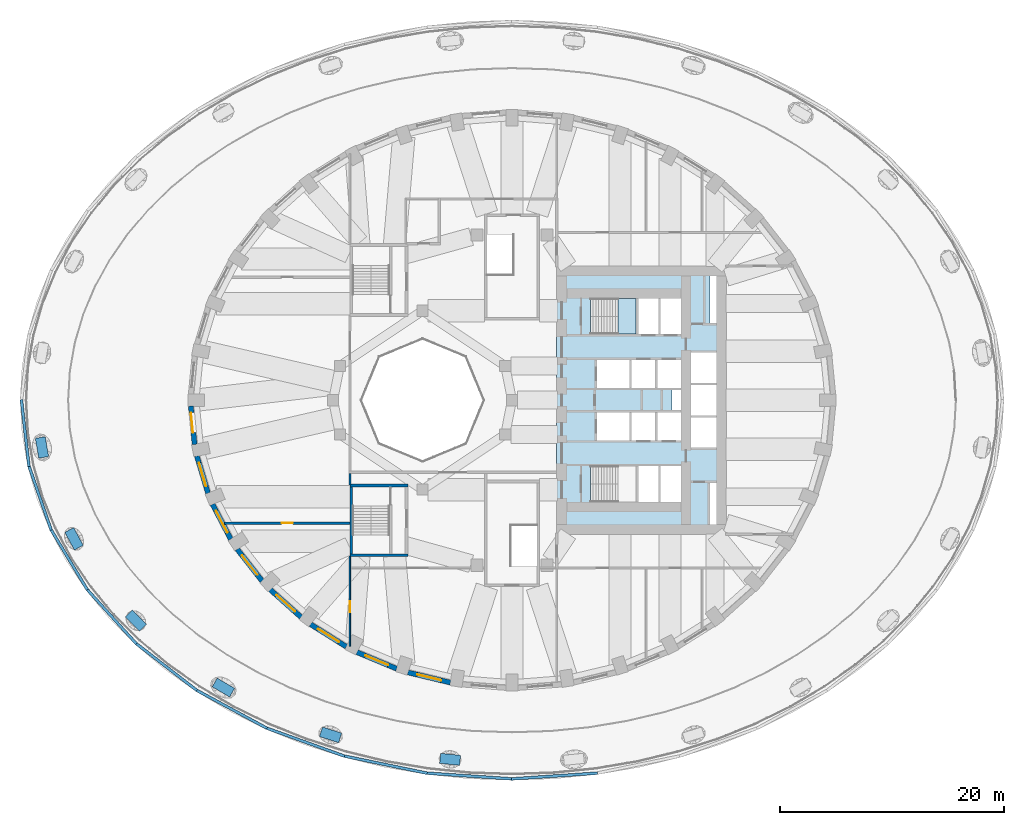
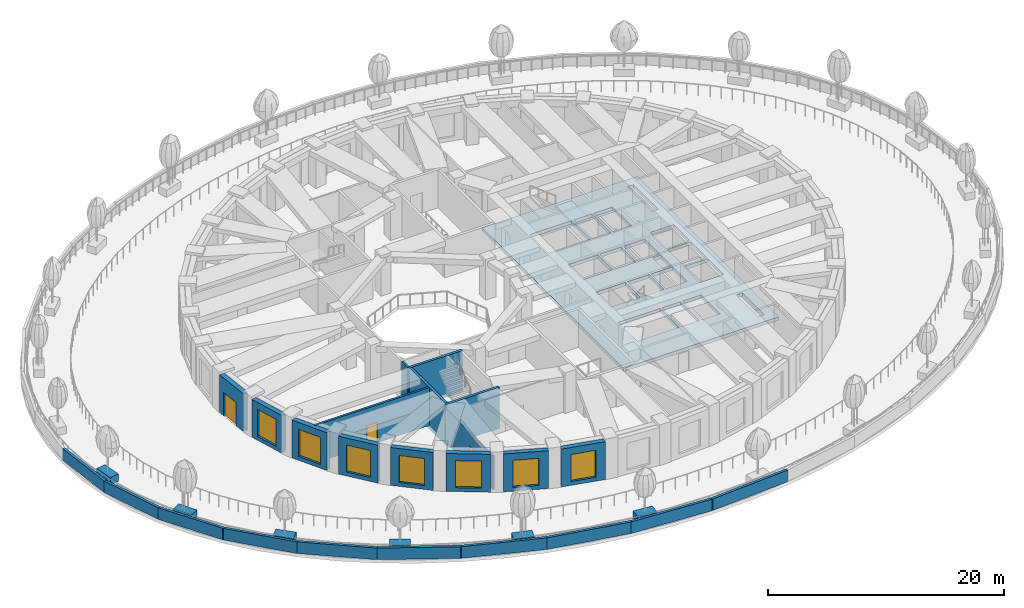
# One storey, part 3 of 17: 30 walls, 7 windows, 3 doors, 2 slabs, 10 openings, 1 element without a shape of its own.
"""IFC4 building model written with IfcOpenShell, lengths in metres."""

from ifc_helpers import new_model, si_unit, direction, frame, frame_2d, origin, place, context, subcontext, project, spatial, polyline, rectangle, outline, extrude, material, layer, layer_set, constituent, constituent_set, type_object, element, fill, aggregate, save


model = new_model("IFC4")

# Units and contexts
model_context = context("Model", 3, precision=1e-05, world=origin(), true_north=direction((0.0, 1.0)))
body_context = subcontext(model_context, "Body", "Model", "MODEL_VIEW")
ifc_project = project(units=[si_unit("LENGTHUNIT", "METRE"), si_unit("AREAUNIT", "SQUARE_METRE"), si_unit("VOLUMEUNIT", "CUBIC_METRE"), si_unit("PLANEANGLEUNIT", "RADIAN"), si_unit("MASSUNIT", "GRAM", prefix="KILO")], contexts=[model_context])

# Site, building, storey
site_placement = place(None, origin())
site = spatial("IfcSite", under=ifc_project, at=site_placement, CompositionType="ELEMENT")
building_placement = place(site_placement, origin())
building = spatial("IfcBuilding", under=site, at=building_placement, Name="Taillehof Tower", CompositionType="ELEMENT")
storey_placement = place(building_placement, frame((0.0, 0.0, 17.5)))
storey = spatial("IfcBuildingStorey", under=building, at=storey_placement, Name="L03", CompositionType="ELEMENT", Elevation=17.5)

# Slab
ifc_material_1 = material(Name="Concrete C40/50", Category="concrete")
ifc_layer_1 = layer(ifc_material_1, 0.35009765625)
ifc_layer_set_1 = layer_set([ifc_layer_1], Name="Core floor slab C40/50 350")
slab_type_1 = type_object("IfcSlabType", Name="Core floor slab C40/50 350", PredefinedType="FLOOR", material=ifc_layer_set_1)
slab_1_placement = place(storey_placement, frame((0.0, 0.0, -0.35009765625)))
element("IfcSlab", 1, at=slab_1_placement, inside=storey, type_object=slab_type_1, Name="Core floor L03", PredefinedType="FLOOR", context=body_context, shape_type="SweptSolid", body=[
    extrude(outline(polyline([(4.0, -12.0), (4.0, 12.0), (19.199951171875, 12.0), (19.199951171875, -12.0), (4.0, -12.0)]), holes=[polyline([(7.00048828125, -9.10009765625), (11.10009765625, -9.10009765625), (11.10009765625, -5.89990234375), (7.00048828125, -5.89990234375), (7.00048828125, -9.10009765625)]), polyline([(13.10009765625, -9.10009765625), (13.10009765625, -5.89990234375), (11.300048828125, -5.89990234375), (11.300048828125, -9.10009765625), (13.10009765625, -9.10009765625)]), polyline([(10.5, -3.60009765625), (10.5, -1.10009765625), (7.60009765625, -1.10009765625), (7.60009765625, -3.60009765625), (10.5, -3.60009765625)]), polyline([(12.800048828125, -3.60009765625), (12.800048828125, -1.10009765625), (10.699951171875, -1.10009765625), (10.699951171875, -3.60009765625), (12.800048828125, -3.60009765625)]), polyline([(10.5, 1.10009765625), (10.5, 3.60009765625), (7.60009765625, 3.60009765625), (7.60009765625, 1.10009765625), (10.5, 1.10009765625)]), polyline([(12.800048828125, 1.10009765625), (12.800048828125, 3.60009765625), (10.699951171875, 3.60009765625), (10.699951171875, 1.10009765625), (12.800048828125, 1.10009765625)]), polyline([(15.10009765625, 1.10009765625), (15.10009765625, 3.60009765625), (13.0, 3.60009765625), (13.0, 1.10009765625), (15.10009765625, 1.10009765625)]), polyline([(11.300048828125, 5.89990234375), (13.10009765625, 5.89990234375), (13.10009765625, 9.10009765625), (11.300048828125, 9.10009765625), (11.300048828125, 5.89990234375)]), polyline([(7.00048828125, 5.89990234375), (11.10009765625, 5.89990234375), (11.10009765625, 9.10009765625), (7.00048828125, 9.10009765625), (7.00048828125, 5.89990234375)]), polyline([(18.300048828125, -11.10009765625), (18.300048828125, -7.39990234375), (17.699951171875, -7.39990234375), (17.699951171875, -11.10009765625), (18.300048828125, -11.10009765625)]), polyline([(15.10009765625, -9.10009765625), (15.10009765625, -5.89990234375), (13.300048828125, -5.89990234375), (13.300048828125, -9.10009765625), (15.10009765625, -9.10009765625)]), polyline([(18.300048828125, -4.25), (18.300048828125, -1.550048828125), (16.0, -1.550048828125), (16.0, -4.25), (18.300048828125, -4.25)]), polyline([(15.10009765625, -3.60009765625), (15.10009765625, -1.10009765625), (13.0, -1.10009765625), (13.0, -3.60009765625), (15.10009765625, -3.60009765625)]), polyline([(15.10009765625, -0.89990234375), (15.10009765625, 0.89990234375), (14.300048828125, 0.89990234375), (14.300048828125, -0.89990234375), (15.10009765625, -0.89990234375)]), polyline([(18.300048828125, -1.35009765625), (18.300048828125, 1.35009765625), (16.0, 1.35009765625), (16.0, -1.35009765625), (18.300048828125, -1.35009765625)]), polyline([(18.300048828125, 1.550048828125), (18.300048828125, 4.25), (16.0, 4.25), (16.0, 1.550048828125), (18.300048828125, 1.550048828125)]), polyline([(13.300048828125, 5.89990234375), (15.10009765625, 5.89990234375), (15.10009765625, 9.10009765625), (13.300048828125, 9.10009765625), (13.300048828125, 5.89990234375)]), polyline([(17.699951171875, 6.89990234375), (18.300048828125, 6.89990234375), (18.300048828125, 11.10009765625), (17.699951171875, 11.10009765625), (17.699951171875, 6.89990234375)])]), origin(), (0.0, 0.0, 1.0), 0.35009765625),
])

# Stair, slab
ifc_material_2 = material(Name="Concrete C40/50", Category="concrete")
stair_type = type_object("IfcStairType", Name="Exit stair half-turn", PredefinedType="HALF_TURN_STAIR", material=ifc_material_2)
stair_placement = place(storey_placement, origin())
stair = element("IfcStair", 2, at=stair_placement, inside=storey, type_object=stair_type, Name="Exit stair S1", PredefinedType="HALF_TURN_STAIR")
ifc_material_3 = material(Name="Concrete C40/50", Category="concrete")
ifc_layer_2 = layer(ifc_material_3, 0.2099609375)
ifc_layer_set_2 = layer_set([ifc_layer_2], Name="Stair landing C40/50 210")
slab_type_2 = type_object("IfcSlabType", Name="Stair landing C40/50 210", PredefinedType="LANDING", material=ifc_layer_set_2)
slab_2_placement = place(storey_placement, frame((0.0, 0.0, 1.889892578125)))
slab_2 = element("IfcSlab", 3, at=slab_2_placement, type_object=slab_type_2, Name="S1 landing 1", PredefinedType="LANDING", context=body_context, shape_type="SweptSolid", body=[
    extrude(outline(polyline([(9.5, 5.89990234375), (11.10009765625, 5.89990234375), (11.10009765625, 9.10009765625), (9.5, 9.10009765625), (9.5, 5.89990234375)])), origin(), (0.0, 0.0, 1.0), 0.210205078125),
])
aggregate(stair, [slab_2])

# Wall, opening, door
ifc_material_4 = material(Name="Brick masonry", Category="masonry")
ifc_layer_3 = layer(ifc_material_4, 0.449951171875)
ifc_layer_set_3 = layer_set([ifc_layer_3], Name="Brick infill wall 450")
wall_type_1 = type_object("IfcWallType", Name="Brick infill wall 450", PredefinedType="SOLIDWALL", material=ifc_layer_set_3)
wall_1_placement = place(storey_placement, frame((-28.721923828125, -0.530029296875, 0.0), z_axis=(0.0, 0.0, 1.0), x_axis=(0.097389581596, -0.995246336038, 0.0)))
wall_1 = element("IfcWall", 4, at=wall_1_placement, inside=storey, type_object=wall_type_1, Name="Brick wall L03 bay 19", PredefinedType="SOLIDWALL", context=body_context, shape_type="SweptSolid", body=[
    extrude(rectangle(XDim=3.44189453125, YDim=0.449951171875, at=frame_2d((1.720947265625, 0.0))), origin(), (0.0, 0.0, 1.0), 3.919921875),
])
opening_1_placement = place(wall_1_placement, frame((0.60009765625, 0.0, 0.0)))
opening_1 = element("IfcOpeningElement", 5, at=opening_1_placement, cuts=wall_1, Name="Opening D0392", PredefinedType="OPENING", context=body_context, shape_type="SweptSolid", body=[
    extrude(rectangle(XDim=1.800048828125, YDim=2.39990234375, at=frame_2d((0.89990234375, 1.199951171875))), frame((0.0, 0.23486328125, 0.0), z_axis=(0.0, -1.0, 0.0), x_axis=(1.0, 0.0, 0.0)), (0.0, 0.0, 1.0), 0.469970703125),
])
ifc_material_5 = material(Name="Aluminium door frame with clear laminated safety glass", Category="aluminium")
door_type_1 = type_object("IfcDoorType", Name="Terrace door 1800x2400", OperationType="DOUBLE_DOOR_DOUBLE_SWING", PredefinedType="DOOR", material=ifc_material_5)
door_1_placement = place(opening_1_placement, origin())
door_1 = element("IfcDoor", 6, at=door_1_placement, inside=storey, type_object=door_type_1, Name="Door D0392", OperationType="DOUBLE_DOOR_SINGLE_SWING", OverallHeight=2.39990234375, OverallWidth=1.800048828125, PredefinedType="DOOR", context=body_context, shape_type="SweptSolid", body=[
    extrude(rectangle(XDim=1.800048828125, YDim=2.39990234375, at=frame_2d((0.89990234375, 1.199951171875))), frame((0.0, -0.02490234375, 0.0), z_axis=(0.0, -1.0, 0.0), x_axis=(1.0, 0.0, 0.0)), (0.0, 0.0, 1.0), 0.050048828125),
])
fill(opening_1, door_1)

# Wall, opening, window
wall_2_placement = place(storey_placement, frame((-28.181884765625, -4.995849609375, 0.0), z_axis=(0.0, 0.0, 1.0), x_axis=(0.287064133733, -0.957911364963, 0.0)))
wall_2 = element("IfcWall", 7, at=wall_2_placement, inside=storey, type_object=wall_type_1, Name="Brick wall L03 bay 20", PredefinedType="SOLIDWALL", context=body_context, shape_type="SweptSolid", body=[
    extrude(rectangle(XDim=3.473388671875, YDim=0.449951171875, at=frame_2d((1.73681640625, 0.0))), origin(), (0.0, 0.0, 1.0), 3.919921875),
])
opening_2_placement = place(wall_2_placement, frame((0.63671875, 0.0, 0.39990234375)))
opening_2 = element("IfcOpeningElement", 8, at=opening_2_placement, cuts=wall_2, Name="Opening W9", PredefinedType="OPENING", context=body_context, shape_type="SweptSolid", body=[
    extrude(rectangle(XDim=2.199951171875, YDim=2.800048828125, at=frame_2d((1.10009765625, 1.39990234375))), frame((0.0, 0.23486328125, 0.0), z_axis=(0.0, -1.0, 0.0), x_axis=(1.0, 0.0, 0.0)), (0.0, 0.0, 1.0), 0.469970703125),
])
ifc_material_6 = material(Name="Aluminium window frame with clear double glazing", Category="aluminium")
window_type = type_object("IfcWindowType", Name="Deep-set window 2200x2800", PartitioningType="SINGLE_PANEL", PredefinedType="WINDOW", material=ifc_material_6)
window_1_placement = place(opening_2_placement, origin())
window_1 = element("IfcWindow", 9, at=window_1_placement, inside=storey, type_object=window_type, Name="W9", OverallHeight=2.800048828125, OverallWidth=2.199951171875, PartitioningType="SINGLE_PANEL", PredefinedType="WINDOW", context=body_context, shape_type="SweptSolid", body=[
    extrude(rectangle(XDim=2.199951171875, YDim=2.800048828125, at=frame_2d((1.10009765625, 1.39990234375))), frame((0.0, 0.034912109375, 0.0), z_axis=(0.0, -1.0, 0.0), x_axis=(1.0, 0.0, 0.0)), (0.0, 0.0, 1.0), 0.06005859375),
])
fill(opening_2, window_1)

wall_3_placement = place(storey_placement, frame((-26.78564453125, -9.30517578125, 0.0), z_axis=(0.0, 0.0, 1.0), x_axis=(0.462492775226, -0.886623050041, 0.0)))
wall_3 = element("IfcWall", 10, at=wall_3_placement, inside=storey, type_object=wall_type_1, Name="Brick wall L03 bay 21", PredefinedType="SOLIDWALL", context=body_context, shape_type="SweptSolid", body=[
    extrude(rectangle(XDim=3.531982421875, YDim=0.449951171875, at=frame_2d((1.76611328125, 0.0))), origin(), (0.0, 0.0, 1.0), 3.919921875),
])
opening_3_placement = place(wall_3_placement, frame((0.666015625, 0.0, 0.39990234375)))
opening_3 = element("IfcOpeningElement", 11, at=opening_3_placement, cuts=wall_3, Name="Opening W9", PredefinedType="OPENING", context=body_context, shape_type="SweptSolid", body=[
    extrude(rectangle(XDim=2.199951171875, YDim=2.800048828125, at=frame_2d((1.10009765625, 1.39990234375))), frame((0.0, 0.23486328125, 0.0), z_axis=(0.0, -1.0, 0.0), x_axis=(1.0, 0.0, 0.0)), (0.0, 0.0, 1.0), 0.469970703125),
])
window_2_placement = place(opening_3_placement, origin())
window_2 = element("IfcWindow", 12, at=window_2_placement, inside=storey, type_object=window_type, Name="W9", OverallHeight=2.800048828125, OverallWidth=2.199951171875, PartitioningType="SINGLE_PANEL", PredefinedType="WINDOW", context=body_context, shape_type="SweptSolid", body=[
    extrude(rectangle(XDim=2.199951171875, YDim=2.800048828125, at=frame_2d((1.10009765625, 1.39990234375))), frame((0.0, 0.034912109375, 0.0), z_axis=(0.0, -1.0, 0.0), x_axis=(1.0, 0.0, 0.0)), (0.0, 0.0, 1.0), 0.06005859375),
])
fill(opening_3, window_2)

wall_4_placement = place(storey_placement, frame((-24.57763671875, -13.327880859375, 0.0), z_axis=(0.0, 0.0, 1.0), x_axis=(0.616661975264, -0.787228053529, 0.0)))
wall_4 = element("IfcWall", 13, at=wall_4_placement, inside=storey, type_object=wall_type_1, Name="Brick wall L03 bay 22", PredefinedType="SOLIDWALL", context=body_context, shape_type="SweptSolid", body=[
    extrude(rectangle(XDim=3.60986328125, YDim=0.449951171875, at=frame_2d((1.804931640625, 0.0))), origin(), (0.0, 0.0, 1.0), 3.919921875),
])
opening_4_placement = place(wall_4_placement, frame((0.704833984375, 0.0, 0.39990234375)))
opening_4 = element("IfcOpeningElement", 14, at=opening_4_placement, cuts=wall_4, Name="Opening W9", PredefinedType="OPENING", context=body_context, shape_type="SweptSolid", body=[
    extrude(rectangle(XDim=2.199951171875, YDim=2.800048828125, at=frame_2d((1.10009765625, 1.39990234375))), frame((0.0, 0.23486328125, 0.0), z_axis=(0.0, -1.0, 0.0), x_axis=(1.0, 0.0, 0.0)), (0.0, 0.0, 1.0), 0.469970703125),
])
window_3_placement = place(opening_4_placement, origin())
window_3 = element("IfcWindow", 15, at=window_3_placement, inside=storey, type_object=window_type, Name="W9", OverallHeight=2.800048828125, OverallWidth=2.199951171875, PartitioningType="SINGLE_PANEL", PredefinedType="WINDOW", context=body_context, shape_type="SweptSolid", body=[
    extrude(rectangle(XDim=2.199951171875, YDim=2.800048828125, at=frame_2d((1.10009765625, 1.39990234375))), frame((0.0, 0.034912109375, 0.0), z_axis=(0.0, -1.0, 0.0), x_axis=(1.0, 0.0, 0.0)), (0.0, 0.0, 1.0), 0.06005859375),
])
fill(opening_4, window_3)

wall_5_placement = place(storey_placement, frame((-21.626708984375, -16.943115234375, 0.0), z_axis=(0.0, 0.0, 1.0), x_axis=(0.745526233716, -0.66647628228, 0.0)))
wall_5 = element("IfcWall", 16, at=wall_5_placement, inside=storey, type_object=wall_type_1, Name="Brick wall L03 bay 23", PredefinedType="SOLIDWALL", context=body_context, shape_type="SweptSolid", body=[
    extrude(rectangle(XDim=3.69677734375, YDim=0.449951171875, at=frame_2d((1.848388671875, 0.0))), origin(), (0.0, 0.0, 1.0), 3.919921875),
])
opening_5_placement = place(wall_5_placement, frame((0.74853515625, 0.0, 0.39990234375)))
opening_5 = element("IfcOpeningElement", 17, at=opening_5_placement, cuts=wall_5, Name="Opening W9", PredefinedType="OPENING", context=body_context, shape_type="SweptSolid", body=[
    extrude(rectangle(XDim=2.199951171875, YDim=2.800048828125, at=frame_2d((1.10009765625, 1.39990234375))), frame((0.0, 0.23486328125, 0.0), z_axis=(0.0, -1.0, 0.0), x_axis=(1.0, 0.0, 0.0)), (0.0, 0.0, 1.0), 0.469970703125),
])
window_4_placement = place(opening_5_placement, origin())
window_4 = element("IfcWindow", 18, at=window_4_placement, inside=storey, type_object=window_type, Name="W9", OverallHeight=2.800048828125, OverallWidth=2.199951171875, PartitioningType="SINGLE_PANEL", PredefinedType="WINDOW", context=body_context, shape_type="SweptSolid", body=[
    extrude(rectangle(XDim=2.199951171875, YDim=2.800048828125, at=frame_2d((1.10009765625, 1.39990234375))), frame((0.0, 0.034912109375, 0.0), z_axis=(0.0, -1.0, 0.0), x_axis=(1.0, 0.0, 0.0)), (0.0, 0.0, 1.0), 0.06005859375),
])
fill(opening_5, window_4)

wall_6_placement = place(storey_placement, frame((-18.02294921875, -20.043701171875, 0.0), z_axis=(0.0, 0.0, 1.0), x_axis=(0.847635480093, -0.530579016629, 0.0)))
wall_6 = element("IfcWall", 19, at=wall_6_placement, inside=storey, type_object=wall_type_1, Name="Brick wall L03 bay 24", PredefinedType="SOLIDWALL", context=body_context, shape_type="SweptSolid", body=[
    extrude(rectangle(XDim=3.782470703125, YDim=0.449951171875, at=frame_2d((1.89111328125, 0.0))), origin(), (0.0, 0.0, 1.0), 3.919921875),
])
opening_6_placement = place(wall_6_placement, frame((0.791259765625, 0.0, 0.39990234375)))
opening_6 = element("IfcOpeningElement", 20, at=opening_6_placement, cuts=wall_6, Name="Opening W9", PredefinedType="OPENING", context=body_context, shape_type="SweptSolid", body=[
    extrude(rectangle(XDim=2.199951171875, YDim=2.800048828125, at=frame_2d((1.10009765625, 1.39990234375))), frame((0.0, 0.23486328125, 0.0), z_axis=(0.0, -1.0, 0.0), x_axis=(1.0, 0.0, 0.0)), (0.0, 0.0, 1.0), 0.469970703125),
])
window_5_placement = place(opening_6_placement, origin())
window_5 = element("IfcWindow", 21, at=window_5_placement, inside=storey, type_object=window_type, Name="W9", OverallHeight=2.800048828125, OverallWidth=2.199951171875, PartitioningType="SINGLE_PANEL", PredefinedType="WINDOW", context=body_context, shape_type="SweptSolid", body=[
    extrude(rectangle(XDim=2.199951171875, YDim=2.800048828125, at=frame_2d((1.10009765625, 1.39990234375))), frame((0.0, 0.034912109375, 0.0), z_axis=(0.0, -1.0, 0.0), x_axis=(1.0, 0.0, 0.0)), (0.0, 0.0, 1.0), 0.06005859375),
])
fill(opening_6, window_5)

wall_7_placement = place(storey_placement, frame((-13.875, -22.537353515625, 0.0), z_axis=(0.0, 0.0, 1.0), x_axis=(0.923031964282, -0.384723267966, 0.0)))
wall_7 = element("IfcWall", 22, at=wall_7_placement, inside=storey, type_object=wall_type_1, Name="Brick wall L03 bay 25", PredefinedType="SOLIDWALL", context=body_context, shape_type="SweptSolid", body=[
    extrude(rectangle(XDim=3.8564453125, YDim=0.449951171875, at=frame_2d((1.92822265625, 0.0))), origin(), (0.0, 0.0, 1.0), 3.919921875),
])
opening_7_placement = place(wall_7_placement, frame((0.828125, 0.0, 0.39990234375)))
opening_7 = element("IfcOpeningElement", 23, at=opening_7_placement, cuts=wall_7, Name="Opening W9", PredefinedType="OPENING", context=body_context, shape_type="SweptSolid", body=[
    extrude(rectangle(XDim=2.199951171875, YDim=2.800048828125, at=frame_2d((1.10009765625, 1.39990234375))), frame((0.0, 0.23486328125, 0.0), z_axis=(0.0, -1.0, 0.0), x_axis=(1.0, 0.0, 0.0)), (0.0, 0.0, 1.0), 0.469970703125),
])
window_6_placement = place(opening_7_placement, origin())
window_6 = element("IfcWindow", 24, at=window_6_placement, inside=storey, type_object=window_type, Name="W9", OverallHeight=2.800048828125, OverallWidth=2.199951171875, PartitioningType="SINGLE_PANEL", PredefinedType="WINDOW", context=body_context, shape_type="SweptSolid", body=[
    extrude(rectangle(XDim=2.199951171875, YDim=2.800048828125, at=frame_2d((1.10009765625, 1.39990234375))), frame((0.0, 0.034912109375, 0.0), z_axis=(0.0, -1.0, 0.0), x_axis=(1.0, 0.0, 0.0)), (0.0, 0.0, 1.0), 0.06005859375),
])
fill(opening_7, window_6)

wall_8_placement = place(storey_placement, frame((-9.3076171875, -24.349609375, 0.0), z_axis=(0.0, 0.0, 1.0), x_axis=(0.972496561493, -0.232917233979, 0.0)))
wall_8 = element("IfcWall", 25, at=wall_8_placement, inside=storey, type_object=wall_type_1, Name="Brick wall L03 bay 26", PredefinedType="SOLIDWALL", context=body_context, shape_type="SweptSolid", body=[
    extrude(rectangle(XDim=3.910888671875, YDim=0.449951171875, at=frame_2d((1.95556640625, 0.0))), origin(), (0.0, 0.0, 1.0), 3.919921875),
])
opening_8_placement = place(wall_8_placement, frame((0.855224609375, 0.0, 0.39990234375)))
opening_8 = element("IfcOpeningElement", 26, at=opening_8_placement, cuts=wall_8, Name="Opening W9", PredefinedType="OPENING", context=body_context, shape_type="SweptSolid", body=[
    extrude(rectangle(XDim=2.199951171875, YDim=2.800048828125, at=frame_2d((1.10009765625, 1.39990234375))), frame((0.0, 0.23486328125, 0.0), z_axis=(0.0, -1.0, 0.0), x_axis=(1.0, 0.0, 0.0)), (0.0, 0.0, 1.0), 0.469970703125),
])
window_7_placement = place(opening_8_placement, origin())
window_7 = element("IfcWindow", 27, at=window_7_placement, inside=storey, type_object=window_type, Name="W9", OverallHeight=2.800048828125, OverallWidth=2.199951171875, PartitioningType="SINGLE_PANEL", PredefinedType="WINDOW", context=body_context, shape_type="SweptSolid", body=[
    extrude(rectangle(XDim=2.199951171875, YDim=2.800048828125, at=frame_2d((1.10009765625, 1.39990234375))), frame((0.0, 0.034912109375, 0.0), z_axis=(0.0, -1.0, 0.0), x_axis=(1.0, 0.0, 0.0)), (0.0, 0.0, 1.0), 0.06005859375),
])
fill(opening_8, window_7)

# Wall, opening, door
ifc_material_7 = material(Name="Calcium silicate blockwork", Category="masonry")
ifc_layer_4 = layer(ifc_material_7, 0.199951171875)
ifc_layer_set_4 = layer_set([ifc_layer_4], Name="Compartment wall EI 60 200 mm")
wall_type_2 = type_object("IfcWallType", Name="Compartment wall EI 60 200 mm", PredefinedType="PARTITIONING", material=ifc_layer_set_4)
wall_9_placement = place(storey_placement, frame((-25.701904296875, -11.0, 0.0), z_axis=(0.0, 0.0, 1.0), x_axis=(1.0, 0.0, 0.0)))
wall_9 = element("IfcWall", 28, at=wall_9_placement, inside=storey, type_object=wall_type_2, Name="Wall L03-05 / L03-07", PredefinedType="PARTITIONING", context=body_context, shape_type="SweptSolid", body=[
    extrude(rectangle(XDim=11.203857421875, YDim=0.199951171875, at=frame_2d((5.60205078125, 0.0))), origin(), (0.0, 0.0, 1.0), 3.919921875),
])
opening_9_placement = place(wall_9_placement, frame((5.10205078125, 0.0, 0.0)))
opening_9 = element("IfcOpeningElement", 29, at=opening_9_placement, cuts=wall_9, Name="Opening D0348", PredefinedType="OPENING", context=body_context, shape_type="SweptSolid", body=[
    extrude(rectangle(XDim=1.0, YDim=2.10009765625, at=frame_2d((0.5, 1.050048828125))), frame((0.0, 0.10986328125, 0.0), z_axis=(0.0, -1.0, 0.0), x_axis=(1.0, 0.0, 0.0)), (0.0, 0.0, 1.0), 0.219970703125),
])
ifc_material_8 = material(Name="Hollow metal door set")
door_type_2 = type_object("IfcDoorType", Name="Single door 1000 x 2100 FD60S", OperationType="SINGLE_SWING_LEFT", PredefinedType="DOOR", material=ifc_material_8)
door_2_placement = place(opening_9_placement, origin())
door_2 = element("IfcDoor", 30, at=door_2_placement, inside=storey, type_object=door_type_2, Name="Door D0348", OperationType="SINGLE_SWING_RIGHT", OverallHeight=2.10009765625, OverallWidth=1.0, PredefinedType="DOOR", context=body_context, shape_type="SweptSolid", body=[
    extrude(rectangle(XDim=1.0, YDim=2.10009765625, at=frame_2d((0.5, 1.050048828125))), frame((0.0, 0.02490234375, 0.0), z_axis=(0.0, -1.0, 0.0), x_axis=(1.0, 0.0, 0.0)), (0.0, 0.0, 1.0), 0.050048828125),
])
fill(opening_9, door_2)

# Walls
wall_10_placement = place(storey_placement, frame((-14.5, -7.60009765625, 0.0), z_axis=(0.0, 0.0, 1.0), x_axis=(0.0, 1.0, 0.0)))
element("IfcWall", 31, at=wall_10_placement, inside=storey, type_object=wall_type_2, Name="Wall L03-05 / L03-18", PredefinedType="PARTITIONING", context=body_context, shape_type="SweptSolid", body=[
    extrude(rectangle(XDim=1.050048828125, YDim=0.199951171875, at=frame_2d((0.52490234375, 0.0))), origin(), (0.0, 0.0, 1.0), 3.919921875),
])
ifc_material_9 = material(Name="Brick masonry", Category="masonry")
ifc_constituent_1 = constituent(ifc_material_9, Name="Wall", Category="masonry")
ifc_material_10 = material(Name="Concrete C30/37 precast", Category="concrete")
ifc_constituent_2 = constituent(ifc_material_10, Name="Coping", Category="concrete")
ifc_constituent_set_1 = constituent_set(constituents=[ifc_constituent_1, ifc_constituent_2], Name="Parapet 250")
wall_type_3 = type_object("IfcWallType", Name="Parapet 250", PredefinedType="PARAPET", material=ifc_constituent_set_1)
wall_11_placement = place(storey_placement, frame((-43.879150390625, 0.0439453125, 0.0), z_axis=(0.0, 0.0, 1.0), x_axis=(0.112471586398, -0.993654941241, 0.0)))
element("IfcWall", 32, at=wall_11_placement, inside=storey, type_object=wall_type_3, Name="Parapet 19", PredefinedType="PARAPET", context=body_context, shape_type="SweptSolid", body=[
    extrude(rectangle(XDim=6.001953125, YDim=0.25, at=frame_2d((3.0009765625, 0.0))), origin(), (0.0, 0.0, 1.0), 1.199951171875),
])
wall_12_placement = place(storey_placement, frame((-43.223388671875, -5.834716796875, 0.0), z_axis=(0.0, 0.0, 1.0), x_axis=(0.327635342702, -0.94480425603, 0.0)))
element("IfcWall", 33, at=wall_12_placement, inside=storey, type_object=wall_type_3, Name="Parapet 20", PredefinedType="PARAPET", context=body_context, shape_type="SweptSolid", body=[
    extrude(rectangle(XDim=6.119140625, YDim=0.25, at=frame_2d((3.0595703125, 0.0))), origin(), (0.0, 0.0, 1.0), 1.199951171875),
])
wall_13_placement = place(storey_placement, frame((-41.2548828125, -11.538330078125, 0.0), z_axis=(0.0, 0.0, 1.0), x_axis=(0.516642556981, -0.856201184486, 0.0)))
element("IfcWall", 34, at=wall_13_placement, inside=storey, type_object=wall_type_3, Name="Parapet 21", PredefinedType="PARAPET", context=body_context, shape_type="SweptSolid", body=[
    extrude(rectangle(XDim=6.333740234375, YDim=0.25, at=frame_2d((3.1669921875, 0.0))), origin(), (0.0, 0.0, 1.0), 1.199951171875),
])
wall_14_placement = place(storey_placement, frame((-38.03271484375, -16.893798828125, 0.0), z_axis=(0.0, 0.0, 1.0), x_axis=(0.671466201745, -0.741035181293, 0.0)))
element("IfcWall", 35, at=wall_14_placement, inside=storey, type_object=wall_type_3, Name="Parapet 22", PredefinedType="PARAPET", context=body_context, shape_type="SweptSolid", body=[
    extrude(rectangle(XDim=6.611572265625, YDim=0.25, at=frame_2d((3.3056640625, 0.0))), origin(), (0.0, 0.0, 1.0), 1.199951171875),
])
wall_15_placement = place(storey_placement, frame((-33.6533203125, -21.737548828125, 0.0), z_axis=(0.0, 0.0, 1.0), x_axis=(0.791289661017, -0.611441470926, 0.0)))
element("IfcWall", 36, at=wall_15_placement, inside=storey, type_object=wall_type_3, Name="Parapet 23", PredefinedType="PARAPET", context=body_context, shape_type="SweptSolid", body=[
    extrude(rectangle(XDim=6.91357421875, YDim=0.25, at=frame_2d((3.456787109375, 0.0))), origin(), (0.0, 0.0, 1.0), 1.199951171875),
])
wall_16_placement = place(storey_placement, frame((-28.24951171875, -25.92138671875, 0.0), z_axis=(0.0, 0.0, 1.0), x_axis=(0.879522517586, -0.47585726963, 0.0)))
element("IfcWall", 37, at=wall_16_placement, inside=storey, type_object=wall_type_3, Name="Parapet 24", PredefinedType="PARAPET", context=body_context, shape_type="SweptSolid", body=[
    extrude(rectangle(XDim=7.203369140625, YDim=0.25, at=frame_2d((3.6015625, 0.0))), origin(), (0.0, 0.0, 1.0), 1.199951171875),
])
wall_17_placement = place(storey_placement, frame((-21.98583984375, -29.317138671875, 0.0), z_axis=(0.0, 0.0, 1.0), x_axis=(0.940794198993, -0.338978281224, 0.0)))
element("IfcWall", 38, at=wall_17_placement, inside=storey, type_object=wall_type_3, Name="Parapet 25", PredefinedType="PARAPET", context=body_context, shape_type="SweptSolid", body=[
    extrude(rectangle(XDim=7.448486328125, YDim=0.25, at=frame_2d((3.72412109375, 0.0))), origin(), (0.0, 0.0, 1.0), 1.199951171875),
])
wall_18_placement = place(storey_placement, frame((-15.052978515625, -31.821044921875, 0.0), z_axis=(0.0, 0.0, 1.0), x_axis=(0.979229524198, -0.202754874019, 0.0)))
element("IfcWall", 39, at=wall_18_placement, inside=storey, type_object=wall_type_3, Name="Parapet 26", PredefinedType="PARAPET", context=body_context, shape_type="SweptSolid", body=[
    extrude(rectangle(XDim=7.625732421875, YDim=0.25, at=frame_2d((3.81298828125, 0.0))), origin(), (0.0, 0.0, 1.0), 1.199951171875),
])
for number, where, z_axis, x_axis, name in (
    (40, (-7.662109375, -33.356689453125, 0.0), (0.0, 0.0, 1.0), (0.997723286571, -0.067440666021, 0.0), "Parapet 27"),
    (41, (-0.038330078125, -33.877197265625, 0.0), (0.0, 0.0, 1.0), (0.997723286571, 0.067440666021, 0.0), "Parapet 28"),
):
    element("IfcWall", number, at=place(storey_placement, frame(where, z_axis=z_axis, x_axis=x_axis)), inside=storey, type_object=wall_type_3, Name=name, PredefinedType="PARAPET", context=body_context, shape_type="SweptSolid", body=[
        extrude(rectangle(XDim=7.718017578125, YDim=0.25, at=frame_2d((3.85888671875, 0.0))), origin(), (0.0, 0.0, 1.0), 1.199951171875),
    ])

# Wall, opening, door
ifc_material_11 = material(Name="Gypsum board partition on steel studs", Category="steel")
ifc_layer_5 = layer(ifc_material_11, 0.125)
ifc_layer_set_5 = layer_set([ifc_layer_5], Name="Partition wall EI 30 125 mm")
wall_type_4 = type_object("IfcWallType", Name="Partition wall EI 30 125 mm", PredefinedType="PARTITIONING", material=ifc_layer_set_5)
wall_19_placement = place(storey_placement, frame((-14.5, -22.02685546875, 0.0), z_axis=(0.0, 0.0, 1.0), x_axis=(0.0, 1.0, 0.0)))
wall_19 = element("IfcWall", 42, at=wall_19_placement, inside=storey, type_object=wall_type_4, Name="Wall L03-07 / L03-17", PredefinedType="PARTITIONING", context=body_context, shape_type="SweptSolid", body=[
    extrude(rectangle(XDim=8.08935546875, YDim=0.125, at=frame_2d((4.044677734375, 0.0))), origin(), (0.0, 0.0, 1.0), 3.469970703125),
])
opening_10_placement = place(wall_19_placement, frame((3.044921875, 0.0, 0.0)))
opening_10 = element("IfcOpeningElement", 43, at=opening_10_placement, cuts=wall_19, Name="Opening D0341", PredefinedType="OPENING", context=body_context, shape_type="SweptSolid", body=[
    extrude(rectangle(XDim=1.0, YDim=2.10009765625, at=frame_2d((0.5, 1.050048828125))), frame((0.0, 0.072509765625, 0.0), z_axis=(0.0, -1.0, 0.0), x_axis=(1.0, 0.0, 0.0)), (0.0, 0.0, 1.0), 0.14501953125),
])
ifc_material_12 = material(Name="Hollow metal door set")
door_type_3 = type_object("IfcDoorType", Name="Single door 1000 x 2100 FD30S", OperationType="SINGLE_SWING_LEFT", PredefinedType="DOOR", material=ifc_material_12)
door_3_placement = place(opening_10_placement, origin())
door_3 = element("IfcDoor", 44, at=door_3_placement, inside=storey, type_object=door_type_3, Name="Door D0341", OperationType="SINGLE_SWING_LEFT", OverallHeight=2.10009765625, OverallWidth=1.0, PredefinedType="DOOR", context=body_context, shape_type="SweptSolid", body=[
    extrude(rectangle(XDim=1.0, YDim=2.10009765625, at=frame_2d((0.5, 1.050048828125))), frame((0.0, 0.02490234375, 0.0), z_axis=(0.0, -1.0, 0.0), x_axis=(1.0, 0.0, 0.0)), (0.0, 0.0, 1.0), 0.050048828125),
])
fill(opening_10, door_3)

# Walls
ifc_material_13 = material(Name="Concrete C50/60", Category="concrete")
ifc_layer_6 = layer(ifc_material_13, 0.25)
ifc_layer_set_6 = layer_set([ifc_layer_6], Name="Stair wall C50/60 250")
wall_type_5 = type_object("IfcWallType", Name="Stair wall C50/60 250", PredefinedType="SHEAR", material=ifc_layer_set_6)
wall_20_placement = place(storey_placement, frame((-14.375, -13.75, -0.35009765625), z_axis=(0.0, 0.0, 1.0), x_axis=(0.0, 1.0, 0.0)))
element("IfcWall", 45, at=wall_20_placement, inside=storey, type_object=wall_type_5, Name="Stair wall SC", PredefinedType="SHEAR", context=body_context, shape_type="SweptSolid", body=[
    extrude(rectangle(XDim=6.0, YDim=0.25, at=frame_2d((3.0, 0.0))), origin(), (0.0, 0.0, 1.0), 4.27001953125),
])
for number, where, z_axis, x_axis, name in (
    (46, (-14.5, -7.625, -0.35009765625), (0.0, 0.0, 1.0), (1.0, 0.0, 0.0), "Stair wall SC"),
    (47, (-14.5, -13.875, -0.35009765625), (0.0, 0.0, 1.0), (1.0, 0.0, 0.0), "Stair wall SC"),
):
    element("IfcWall", number, at=place(storey_placement, frame(where, z_axis=z_axis, x_axis=x_axis)), inside=storey, type_object=wall_type_5, Name=name, PredefinedType="SHEAR", context=body_context, shape_type="SweptSolid", body=[
        extrude(rectangle(XDim=5.199951171875, YDim=0.25, at=frame_2d((2.60009765625, 0.0))), origin(), (0.0, 0.0, 1.0), 4.27001953125),
    ])
ifc_material_14 = material(Name="Concrete C30/37 precast", Category="concrete")
ifc_constituent_3 = constituent(ifc_material_14, Name="Structure", Category="concrete")
ifc_material_15 = material(Name="Insulated lining")
ifc_constituent_4 = constituent(ifc_material_15, Name="Lining")
ifc_constituent_set_2 = constituent_set(constituents=[ifc_constituent_3, ifc_constituent_4], Name="Terrace planter 900x750")
wall_type_6 = type_object("IfcWallType", Name="Terrace planter 900x750", PredefinedType="USERDEFINED", material=ifc_constituent_set_2)
for number, where, z_axis, x_axis, name in (
    (48, (-42.190185546875, -3.342041015625, 0.0), (0.0, 0.0, 1.0), (0.169806995264, -0.985477338329, 0.0), "Terrace planter 13"),
    (49, (-39.601318359375, -11.607666015625, 0.0), (0.0, 0.0, 1.0), (0.476484130097, -0.879183071815, 0.0), "Terrace planter 14"),
):
    element("IfcWall", number, at=place(storey_placement, frame(where, z_axis=z_axis, x_axis=x_axis)), inside=storey, type_object=wall_type_6, Name=name, ObjectType="PLANTER", PredefinedType="USERDEFINED", context=body_context, shape_type="SweptSolid", body=[
        extrude(rectangle(XDim=1.800048828125, YDim=0.89990234375, at=frame_2d((0.89990234375, 0.0))), origin(), (0.0, 0.0, 1.0), 0.75),
    ])
wall_21_placement = place(storey_placement, frame((-34.27587890625, -19.0888671875, 0.0), z_axis=(0.0, 0.0, 1.0), x_axis=(0.708597276277, -0.705613137671, 0.0)))
element("IfcWall", 50, at=wall_21_placement, inside=storey, type_object=wall_type_6, Name="Terrace planter 15", ObjectType="PLANTER", PredefinedType="USERDEFINED", context=body_context, shape_type="SweptSolid", body=[
    extrude(rectangle(XDim=1.7998046875, YDim=0.89990234375, at=frame_2d((0.89990234375, 0.0))), origin(), (0.0, 0.0, 1.0), 0.75),
])
for number, where, z_axis, x_axis, name in (
    (51, (-26.587890625, -25.24951171875, 0.0), (0.0, 0.0, 1.0), (0.862655115123, -0.505792598159, 0.0), "Terrace planter 16"),
    (52, (-17.083740234375, -29.662109375, 0.0), (0.0, 0.0, 1.0), (0.953375400582, -0.301786920799, 0.0), "Terrace planter 17"),
):
    element("IfcWall", number, at=place(storey_placement, frame(where, z_axis=z_axis, x_axis=x_axis)), inside=storey, type_object=wall_type_6, Name=name, ObjectType="PLANTER", PredefinedType="USERDEFINED", context=body_context, shape_type="SweptSolid", body=[
        extrude(rectangle(XDim=1.800048828125, YDim=0.89990234375, at=frame_2d((0.89990234375, 0.0))), origin(), (0.0, 0.0, 1.0), 0.75),
    ])
wall_22_placement = place(storey_placement, frame((-6.4296875, -32.03271484375, 0.0), z_axis=(0.0, 0.0, 1.0), x_axis=(0.994976569531, -0.100108072026, 0.0)))
element("IfcWall", 53, at=wall_22_placement, inside=storey, type_object=wall_type_6, Name="Terrace planter 18", ObjectType="PLANTER", PredefinedType="USERDEFINED", context=body_context, shape_type="SweptSolid", body=[
    extrude(rectangle(XDim=1.7998046875, YDim=0.89990234375, at=frame_2d((0.89990234375, 0.0))), origin(), (0.0, 0.0, 1.0), 0.75),
])

save(model, "model.ifc")
